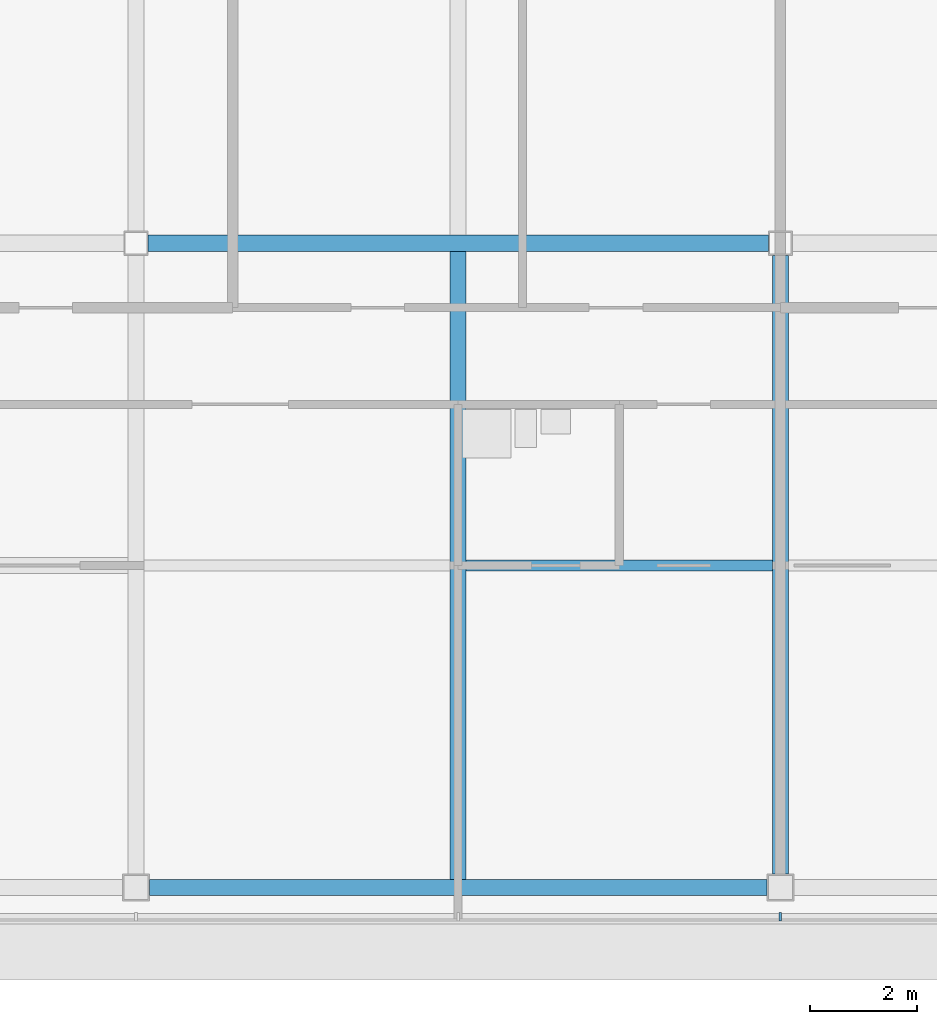
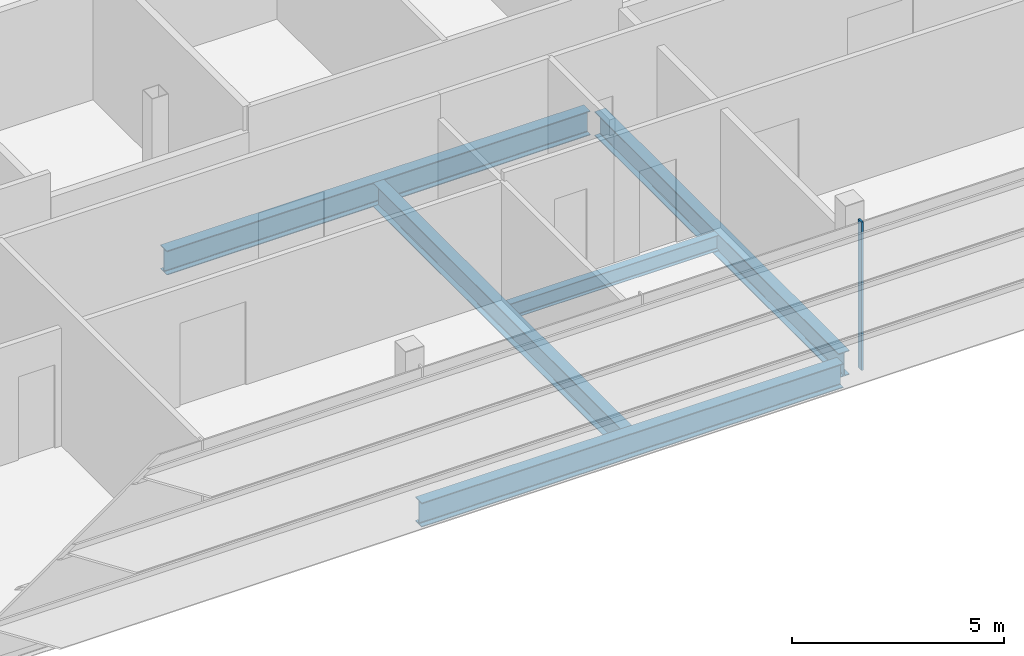
# One storey, part 5 of 29: 5 beams, 1 member, 1 element without a shape of its own.
"""IFC4 building model written with IfcOpenShell, lengths in metres."""

from ifc_helpers import new_model, si_unit, direction, frame, origin, origin_2d, place, context, subcontext, project, spatial, rectangle, i_section, extrude, material, material_profile, profile_set, type_object, element, aggregate, save


model = new_model("IFC4")

# Units and contexts
model_context = context("Model", 3, precision=1e-05, world=origin(), true_north=direction((0.0, 1.0)))
body_context = subcontext(model_context, "Body", "Model", "MODEL_VIEW")
ifc_project = project(units=[si_unit("LENGTHUNIT", "METRE"), si_unit("AREAUNIT", "SQUARE_METRE"), si_unit("VOLUMEUNIT", "CUBIC_METRE"), si_unit("PLANEANGLEUNIT", "RADIAN"), si_unit("MASSUNIT", "GRAM", prefix="KILO")], contexts=[model_context])

# Site, building, storey
site_placement = place(None, origin())
site = spatial("IfcSite", under=ifc_project, at=site_placement, CompositionType="ELEMENT")
building_placement = place(site_placement, origin())
building = spatial("IfcBuilding", under=site, at=building_placement, Name="Sorahane Residences", CompositionType="ELEMENT")
storey_placement = place(building_placement, frame((0.0, 0.0, 326.800048828125)))
storey = spatial("IfcBuildingStorey", under=building, at=storey_placement, Name="L78", CompositionType="ELEMENT", Elevation=326.800048828125)

# Curtain wall, member
ifc_material_1 = material(Name="Dark low-e glass and black anodised aluminium", Category="aluminium")
curtain_wall_type = type_object("IfcCurtainWallType", Name="Curtain wall CW-1 Typical unitised wall", PredefinedType="NOTDEFINED", material=ifc_material_1)
curtain_wall_placement = place(storey_placement, origin())
curtain_wall = element("IfcCurtainWall", 1, at=curtain_wall_placement, inside=storey, type_object=curtain_wall_type, Name="CW-1 curtain wall L78 S1", PredefinedType="NOTDEFINED")
ifc_material_2 = material(Name="Black anodised aluminium", Category="aluminium")
ifc_material_profile_1 = material_profile(ifc_material_2, rectangle(XDim=0.159912109375, YDim=0.050048828125, at=origin_2d()), Name="Curtain wall mullion CW-1 black anodised aluminium 50x160")
ifc_profile_set_1 = profile_set([ifc_material_profile_1], Name="Black anodised aluminium")
member_type = type_object("IfcMemberType", Name="Curtain wall mullion CW-1 black anodised aluminium 50x160", PredefinedType="MULLION", material=ifc_profile_set_1)
member_placement = place(storey_placement, frame((12.0, -0.5400390625, -0.179931640625), z_axis=(0.0, 0.0, 1.0), x_axis=(0.0, -1.0, 0.0)))
member = element("IfcMember", 2, at=member_placement, type_object=member_type, Name="CW-1 mullion L78 S1.5", PredefinedType="MULLION", context=body_context, shape_type="SweptSolid", body=[
    extrude(rectangle(XDim=0.159912109375, YDim=0.050048828125, at=origin_2d()), origin(), (0.0, 0.0, 1.0), 4.27978515625),
])
aggregate(curtain_wall, [member])

# Beams
ifc_material_3 = material(Name="Steel Q355B", Category="steel")
ifc_material_profile_2 = material_profile(ifc_material_3, i_section(OverallWidth=0.199951171875, OverallDepth=0.449951171875, WebThickness=0.009033203125, FlangeThickness=0.013916015625, FilletRadius=0.02001953125, at=origin_2d()), Name="HN 450x200x9x14")
ifc_profile_set_2 = profile_set([ifc_material_profile_2], Name="Steel Q355B")
beam_type_1 = type_object("IfcBeamType", Name="Steel floor beam HN 450x200x9x14 Q355B", PredefinedType="BEAM", material=ifc_profile_set_2)
beam_1_placement = place(storey_placement, frame((6.14990234375, 6.0, -0.405029296875), z_axis=(1.0, 0.0, 0.0), x_axis=(0.0, 1.0, 0.0)))
element("IfcBeam", 3, at=beam_1_placement, inside=storey, type_object=beam_type_1, Name="Beam L78 069", PredefinedType="BEAM", context=body_context, shape_type="SweptSolid", body=[
    extrude(i_section(OverallWidth=0.199951171875, OverallDepth=0.449951171875, WebThickness=0.009033203125, FlangeThickness=0.013916015625, FilletRadius=0.02001953125, at=origin_2d()), origin(), (0.0, 0.0, 1.0), 5.7001953125),
])
ifc_material_4 = material(Name="Steel Q355B", Category="steel")
ifc_material_profile_3 = material_profile(ifc_material_4, i_section(OverallWidth=0.300048828125, OverallDepth=0.699951171875, WebThickness=0.012939453125, FlangeThickness=0.02392578125, FilletRadius=0.028076171875, at=origin_2d()), Name="HN 700x300x13x24")
ifc_profile_set_3 = profile_set([ifc_material_profile_3], Name="Steel Q355B")
beam_type_2 = type_object("IfcBeamType", Name="Steel floor beam HN 700x300x13x24 Q355B", PredefinedType="BEAM", material=ifc_profile_set_3)
beam_2_placement = place(storey_placement, frame((0.25, 0.0, -0.530029296875), z_axis=(1.0, 0.0, 0.0), x_axis=(0.0, 1.0, 0.0)))
element("IfcBeam", 4, at=beam_2_placement, inside=storey, type_object=beam_type_2, Name="Beam L78 001", PredefinedType="BEAM", context=body_context, shape_type="SweptSolid", body=[
    extrude(i_section(OverallWidth=0.300048828125, OverallDepth=0.699951171875, WebThickness=0.012939453125, FlangeThickness=0.02392578125, FilletRadius=0.028076171875, at=origin_2d()), origin(), (0.0, 0.0, 1.0), 11.5),
])
beam_3_placement = place(storey_placement, frame((0.22509765625, 12.0, -0.530029296875), z_axis=(1.0, 0.0, 0.0), x_axis=(0.0, 1.0, 0.0)))
element("IfcBeam", 5, at=beam_3_placement, inside=storey, type_object=beam_type_2, Name="Beam L78 007", PredefinedType="BEAM", context=body_context, shape_type="SweptSolid", body=[
    extrude(i_section(OverallWidth=0.300048828125, OverallDepth=0.699951171875, WebThickness=0.012939453125, FlangeThickness=0.02392578125, FilletRadius=0.028076171875, at=origin_2d()), origin(), (0.0, 0.0, 1.0), 11.5498046875),
])
beam_4_placement = place(storey_placement, frame((6.0, 0.14990234375, -0.530029296875), z_axis=(0.0, 1.0, 0.0), x_axis=(-1.0, 0.0, 0.0)))
element("IfcBeam", 6, at=beam_4_placement, inside=storey, type_object=beam_type_2, Name="Beam L78 032", PredefinedType="BEAM", context=body_context, shape_type="SweptSolid", body=[
    extrude(i_section(OverallWidth=0.300048828125, OverallDepth=0.699951171875, WebThickness=0.012939453125, FlangeThickness=0.02392578125, FilletRadius=0.028076171875, at=origin_2d()), origin(), (0.0, 0.0, 1.0), 11.7001953125),
])
beam_5_placement = place(storey_placement, frame((12.0, 0.25, -0.530029296875), z_axis=(0.0, 1.0, 0.0), x_axis=(-1.0, 0.0, 0.0)))
element("IfcBeam", 7, at=beam_5_placement, inside=storey, type_object=beam_type_2, Name="Beam L78 038", PredefinedType="BEAM", context=body_context, shape_type="SweptSolid", body=[
    extrude(i_section(OverallWidth=0.300048828125, OverallDepth=0.699951171875, WebThickness=0.012939453125, FlangeThickness=0.02392578125, FilletRadius=0.028076171875, at=origin_2d()), origin(), (0.0, 0.0, 1.0), 11.52490234375),
])

save(model, "model.ifc")
